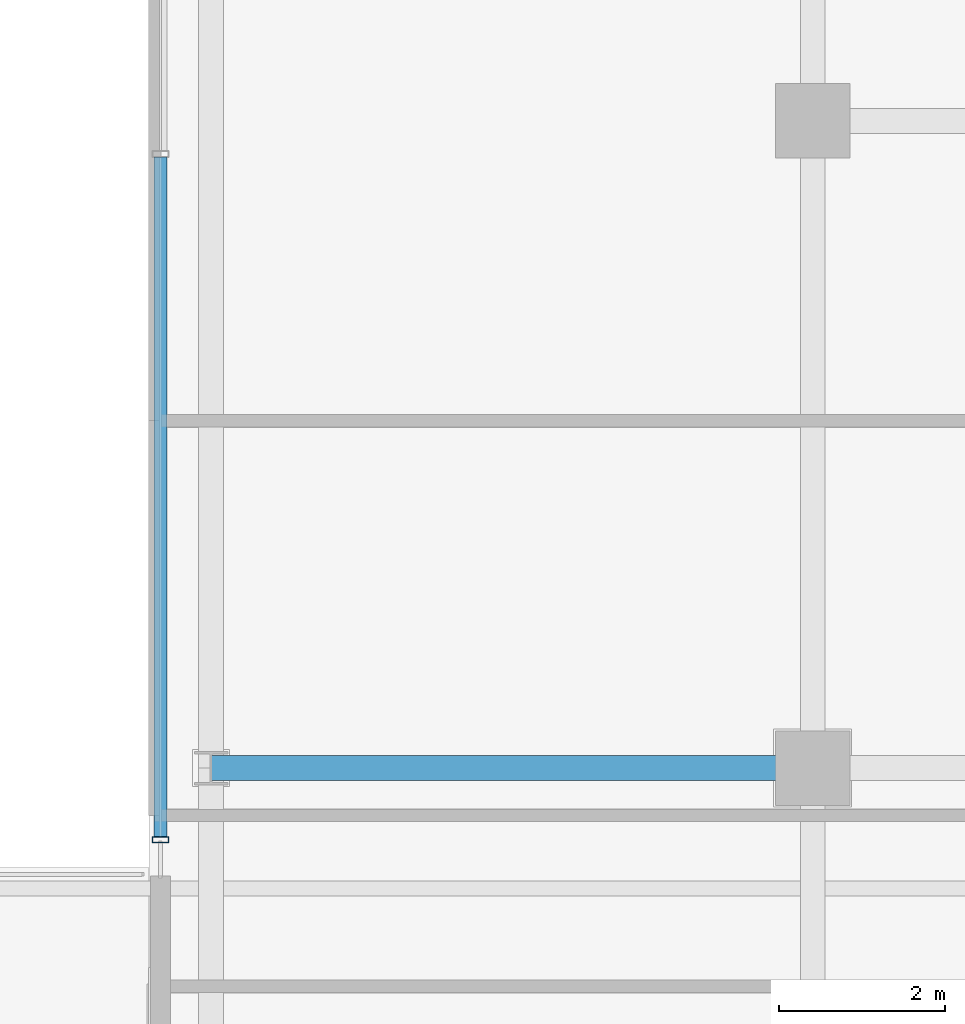
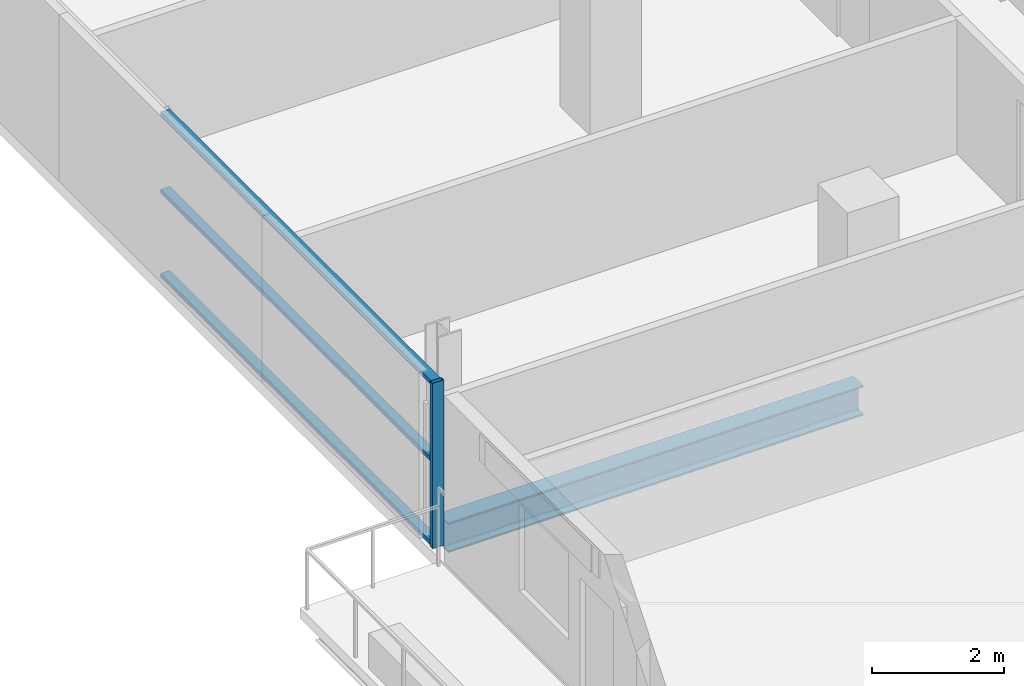
# One storey, part 6 of 28: 4 members, 1 beam, 1 element without a shape of its own.
"""IFC4 building model written with IfcOpenShell, lengths in metres."""

from ifc_helpers import new_model, si_unit, direction, frame, origin, origin_2d, place, context, subcontext, project, spatial, hollow_rectangle, i_section, extrude, source, transform, mapped, material, layer, layer_set, material_profile, profile_set, type_object, element, aggregate, save


model = new_model("IFC4")

# Units and contexts
model_context = context("Model", 3, precision=1e-05, world=origin(), true_north=direction((0.0, 1.0)))
body_context = subcontext(model_context, "Body", "Model", "MODEL_VIEW")
ifc_project = project(units=[si_unit("LENGTHUNIT", "METRE"), si_unit("AREAUNIT", "SQUARE_METRE"), si_unit("VOLUMEUNIT", "CUBIC_METRE"), si_unit("PLANEANGLEUNIT", "RADIAN"), si_unit("MASSUNIT", "GRAM", prefix="KILO")], contexts=[model_context])

# Site, building, storey
site_placement = place(None, origin())
site = spatial("IfcSite", under=ifc_project, at=site_placement, CompositionType="ELEMENT")
building_placement = place(site_placement, origin())
building = spatial("IfcBuilding", under=site, at=building_placement, Name="Zarnakvel Exchange Tower", CompositionType="ELEMENT")
storey_placement = place(building_placement, frame((0.0, 0.0, 109.89990234375)))
storey = spatial("IfcBuildingStorey", under=building, at=storey_placement, Name="L30", CompositionType="ELEMENT", Elevation=109.89990234375)

# Beam
ifc_material_1 = material(Name="Steel S355", Category="steel")
ifc_material_profile_1 = material_profile(ifc_material_1, i_section(OverallWidth=0.300048828125, OverallDepth=0.550048828125, WebThickness=0.014892578125, FlangeThickness=0.029052734375, FilletRadius=0.027099609375, at=origin_2d()))
ifc_profile_set_1 = profile_set([ifc_material_profile_1], Name="Steel S355")
beam_type = type_object("IfcBeamType", Name="G-05", PredefinedType="BEAM", material=ifc_profile_set_1)
beam_placement = place(storey_placement, frame((-28.85009765625, -1.199951171875, -0.5), z_axis=(1.0, 0.0, 0.0), x_axis=(0.0, 1.0, 0.0)))
element("IfcBeam", 1, at=beam_placement, inside=storey, type_object=beam_type, Name="L30 Tower E-W Frame Beam", PredefinedType="BEAM", context=body_context, shape_type="SweptSolid", body=[
    extrude(i_section(OverallWidth=0.300048828125, OverallDepth=0.550048828125, WebThickness=0.014892578125, FlangeThickness=0.029052734375, FilletRadius=0.027099609375, at=origin_2d()), origin(), (0.0, 0.0, 1.0), 7.25),
])

# Curtain wall, members
ifc_material_2 = material(Name="Architectural Bronze Anodised Aluminium", Category="aluminium")
ifc_layer = layer(ifc_material_2, 0.199951171875)
ifc_layer_set = layer_set([ifc_layer], Name="Architectural Bronze Anodised Aluminium")
curtain_wall_type = type_object("IfcCurtainWallType", Name="CW-04", PredefinedType="NOTDEFINED", material=ifc_layer_set)
curtain_wall_placement = place(storey_placement, origin())
curtain_wall = element("IfcCurtainWall", 2, at=curtain_wall_placement, inside=storey, type_object=curtain_wall_type, Name="L30 Curtain Wall CW-L30-WN (CW-04)", PredefinedType="NOTDEFINED")
ifc_material_profile_2 = material_profile(ifc_material_2, hollow_rectangle(XDim=0.199951171875, YDim=0.074951171875, WallThickness=0.0048828125, at=origin_2d()))
ifc_profile_set_2 = profile_set([ifc_material_profile_2], Name="Architectural Bronze Anodised Aluminium")
member_type_1 = type_object("IfcMemberType", Name="CWM-04", PredefinedType="MULLION", material=ifc_profile_set_2)
shared_shape_1 = source(origin(), body_context, "Body", "SweptSolid", [
    extrude(hollow_rectangle(XDim=0.199951171875, YDim=0.074951171875, WallThickness=0.0048828125, at=origin_2d()), origin(), (0.0, 0.0, 1.0), 3.05517578125),
])
member_1_placement = place(storey_placement, frame((-29.4599609375, -2.0625, 0.0), z_axis=(0.0, 0.0, 1.0), x_axis=(-1.0, 0.0, 0.0)))
member_1 = element("IfcMember", 3, at=member_1_placement, type_object=member_type_1, Name="CW-04 mullion 1", PredefinedType="MULLION", context=body_context, shape_type="MappedRepresentation", body=[
    mapped(shared_shape_1, transform((0.0, 0.0, 0.0), x_axis=(1.0, 0.0, 0.0), y_axis=(0.0, 1.0, 0.0), z_axis=(0.0, 0.0, 1.0), scale=1.0)),
])
ifc_material_profile_3 = material_profile(ifc_material_2, hollow_rectangle(XDim=0.159912109375, YDim=0.074951171875, WallThickness=0.00390625, at=origin_2d()))
ifc_profile_set_3 = profile_set([ifc_material_profile_3], Name="Architectural Bronze Anodised Aluminium")
member_type_2 = type_object("IfcMemberType", Name="CWT-04", PredefinedType="USERDEFINED", material=ifc_profile_set_3)
shared_shape_2 = source(origin(), body_context, "Body", "SweptSolid", [
    extrude(hollow_rectangle(XDim=0.159912109375, YDim=0.074951171875, WallThickness=0.00390625, at=origin_2d()), origin(), (0.0, 0.0, 1.0), 8.1875),
])
member_2_placement = place(storey_placement, frame((-29.4599609375, -2.02490234375, 0.03759765625), z_axis=(0.0, 1.0, 0.0), x_axis=(-1.0, 0.0, 0.0)))
member_2 = element("IfcMember", 4, at=member_2_placement, type_object=member_type_2, Name="CW-04 transom 1.1", ObjectType="TRANSOM", PredefinedType="USERDEFINED", context=body_context, shape_type="MappedRepresentation", body=[
    mapped(shared_shape_2, transform((0.0, 0.0, 0.0), x_axis=(1.0, 0.0, 0.0), y_axis=(0.0, 1.0, 0.0), z_axis=(0.0, 0.0, 1.0), scale=1.0)),
])
member_3_placement = place(storey_placement, frame((-29.4599609375, -2.02490234375, 1.588623046875), z_axis=(0.0, 1.0, 0.0), x_axis=(-1.0, 0.0, 0.0)))
member_3 = element("IfcMember", 5, at=member_3_placement, type_object=member_type_2, Name="CW-04 transom 1.2", ObjectType="TRANSOM", PredefinedType="USERDEFINED", context=body_context, shape_type="MappedRepresentation", body=[
    mapped(shared_shape_2, transform((0.0, 0.0, 0.0), x_axis=(1.0, 0.0, 0.0), y_axis=(0.0, 1.0, 0.0), z_axis=(0.0, 0.0, 1.0), scale=1.0)),
])
member_4_placement = place(storey_placement, frame((-29.4599609375, -2.02490234375, 3.017578125), z_axis=(0.0, 1.0, 0.0), x_axis=(-1.0, 0.0, 0.0)))
member_4 = element("IfcMember", 6, at=member_4_placement, type_object=member_type_2, Name="CW-04 transom 1.3", ObjectType="TRANSOM", PredefinedType="USERDEFINED", context=body_context, shape_type="MappedRepresentation", body=[
    mapped(shared_shape_2, transform((0.0, 0.0, 0.0), x_axis=(1.0, 0.0, 0.0), y_axis=(0.0, 1.0, 0.0), z_axis=(0.0, 0.0, 1.0), scale=1.0)),
])
aggregate(curtain_wall, [member_1, member_2, member_3, member_4])

save(model, "model.ifc")
